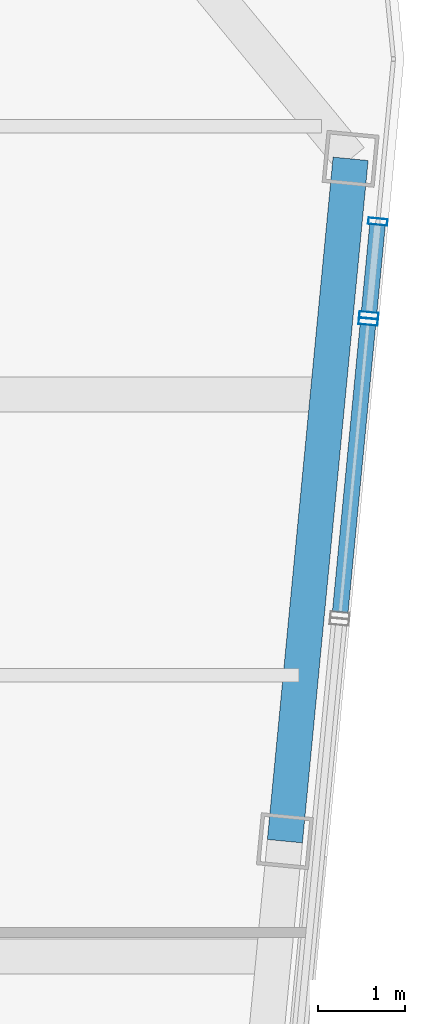
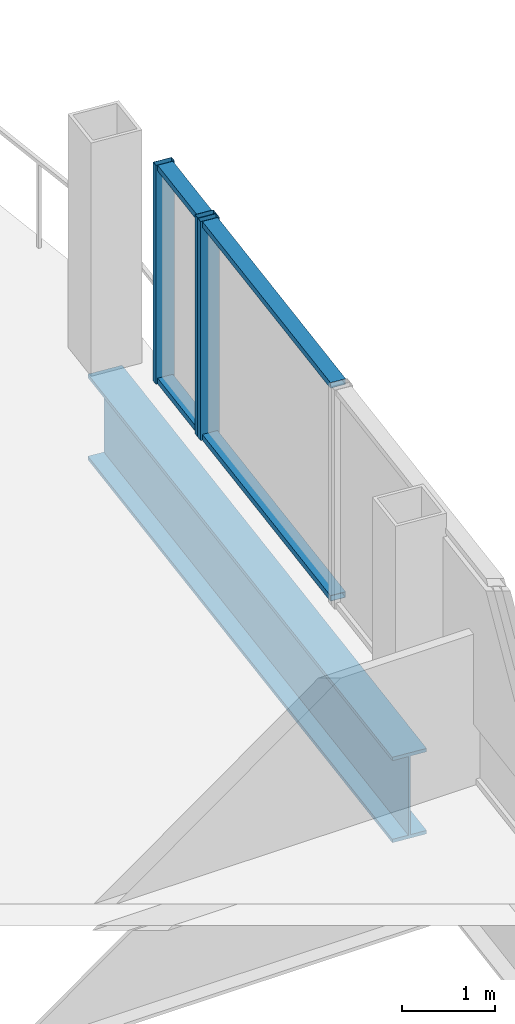
# One storey, part 12 of 22: 7 members, 1 beam, 2 elements without a shape of their own.
"""IFC4 building model written with IfcOpenShell, lengths in metres."""

from ifc_helpers import new_model, si_unit, direction, frame, origin, origin_2d, place, context, subcontext, project, spatial, hollow_rectangle, i_section, extrude, material, layer, layer_set, material_profile, profile_set, type_object, element, aggregate, save


model = new_model("IFC4")

# Units and contexts
model_context = context("Model", 3, precision=1e-05, world=origin(), true_north=direction((0.0, 1.0)))
body_context = subcontext(model_context, "Body", "Model", "MODEL_VIEW")
ifc_project = project(units=[si_unit("LENGTHUNIT", "METRE"), si_unit("AREAUNIT", "SQUARE_METRE"), si_unit("VOLUMEUNIT", "CUBIC_METRE"), si_unit("PLANEANGLEUNIT", "RADIAN"), si_unit("MASSUNIT", "GRAM", prefix="KILO")], contexts=[model_context])

# Site, building, storey
site_placement = place(None, origin())
site = spatial("IfcSite", under=ifc_project, at=site_placement, CompositionType="ELEMENT")
building_placement = place(site_placement, origin())
building = spatial("IfcBuilding", under=site, at=building_placement, Name="Qhalaya Broadcast Tower", CompositionType="ELEMENT")
storey_placement = place(building_placement, frame((0.0, 0.0, 245.89990234375)))
storey = spatial("IfcBuildingStorey", under=building, at=storey_placement, Name="L72", CompositionType="ELEMENT", Elevation=245.89990234375)

# Beam
ifc_material_1 = material(Name="Structural Steel ASTM A992 Grade 50", Category="steel")
ifc_material_profile_1 = material_profile(ifc_material_1, i_section(OverallWidth=0.404052734375, OverallDepth=1.117919921875, WebThickness=0.026123046875, FlangeThickness=0.044921875, at=origin_2d()), Name="W44X335")
ifc_profile_set_1 = profile_set([ifc_material_profile_1], Name="Structural Steel ASTM A992 Grade 50")
beam_type = type_object("IfcBeamType", Name="Podium Long-Span Primary Girder PG1", PredefinedType="USERDEFINED", material=ifc_profile_set_1)
beam_placement = place(storey_placement, frame((21.33642578125, -1.302001953125, -0.7490234375), z_axis=(0.095837184179, 0.995397023367, 0.0), x_axis=(-0.995397023367, 0.095837184179, 0.0)))
element("IfcBeam", 1, at=beam_placement, inside=storey, type_object=beam_type, Name="L72 PG1 L72-SPR-07", ObjectType="GIRDER", PredefinedType="USERDEFINED", context=body_context, shape_type="SweptSolid", body=[
    extrude(i_section(OverallWidth=0.404052734375, OverallDepth=1.117919921875, WebThickness=0.026123046875, FlangeThickness=0.044921875, at=origin_2d()), origin(), (0.0, 0.0, 1.0), 7.866455078125),
])

# Curtain wall, member
ifc_material_2 = material(Name="Solar-Control Low-E Triple Glazing", Category="glass")
ifc_layer_1 = layer(ifc_material_2, 0.219970703125, Name="Solar-Control Low-E Triple Glazing")
ifc_layer_set_1 = layer_set([ifc_layer_1], Name="Solar-Control Low-E Triple Glazing")
curtain_wall_type_1 = type_object("IfcCurtainWallType", Name="High-Altitude Upper-Shaft Triple Low-E Curtain Wall CW-04", PredefinedType="NOTDEFINED", material=ifc_layer_set_1)
curtain_wall_1_placement = place(storey_placement, origin())
curtain_wall_1 = element("IfcCurtainWall", 2, at=curtain_wall_1_placement, inside=storey, type_object=curtain_wall_type_1, Name="L72 Unitised Curtain Wall L72-CW-E6", PredefinedType="NOTDEFINED")
ifc_material_3 = material(Name="Anodised Aluminium 6063-T6", Category="aluminium")
ifc_material_profile_2 = material_profile(ifc_material_3, hollow_rectangle(XDim=0.074951171875, YDim=0.219970703125, WallThickness=0.00390625, at=origin_2d()), Name="ALU-MUL 75x220x4")
ifc_profile_set_2 = profile_set([ifc_material_profile_2], Name="Anodised Aluminium 6063-T6")
member_type_1 = type_object("IfcMemberType", Name="Unitised Curtain-Wall Mullion M01", PredefinedType="MULLION", material=ifc_profile_set_2)
member_1_placement = place(storey_placement, frame((22.292236328125, 4.658935546875, 0.0), z_axis=(0.0, 0.0, 1.0), x_axis=(0.095839108862, 0.995396838056, 0.0)))
member_1 = element("IfcMember", 3, at=member_1_placement, type_object=member_type_1, Name="CW-04 mullion 2", PredefinedType="MULLION", context=body_context, shape_type="SweptSolid", body=[
    extrude(hollow_rectangle(XDim=0.074951171875, YDim=0.219970703125, WallThickness=0.00390625, at=origin_2d()), origin(), (0.0, 0.0, 1.0), 2.860107421875),
])

# Curtain wall, members
ifc_material_4 = material(Name="Fired Architectural Terracotta", Category="masonry")
ifc_layer_2 = layer(ifc_material_4, 0.219970703125, Name="Fired Architectural Terracotta")
ifc_layer_set_2 = layer_set([ifc_layer_2], Name="Fired Architectural Terracotta")
curtain_wall_type_2 = type_object("IfcCurtainWallType", Name="Block-Cap Unitised Terracotta Spandrel Wall CW-07", PredefinedType="NOTDEFINED", material=ifc_layer_set_2)
curtain_wall_2_placement = place(storey_placement, origin())
curtain_wall_2 = element("IfcCurtainWall", 4, at=curtain_wall_2_placement, inside=storey, type_object=curtain_wall_type_2, Name="L72 Unitised Curtain Wall L72-CW-E7", PredefinedType="NOTDEFINED")
member_2_placement = place(storey_placement, frame((22.29931640625, 4.733642578125, 0.0), z_axis=(0.0, 0.0, 1.0), x_axis=(0.095839545253, 0.995396796039, 0.0)))
member_2 = element("IfcMember", 5, at=member_2_placement, type_object=member_type_1, Name="CW-07 mullion 1", PredefinedType="MULLION", context=body_context, shape_type="SweptSolid", body=[
    extrude(hollow_rectangle(XDim=0.074951171875, YDim=0.219970703125, WallThickness=0.00390625, at=origin_2d()), origin(), (0.0, 0.0, 1.0), 2.860107421875),
])
member_3_placement = place(storey_placement, frame((22.40283203125, 5.8076171875, 0.0), z_axis=(0.0, 0.0, 1.0), x_axis=(0.095839545253, 0.995396796039, 0.0)))
member_3 = element("IfcMember", 6, at=member_3_placement, type_object=member_type_1, Name="CW-07 mullion 2", PredefinedType="MULLION", context=body_context, shape_type="SweptSolid", body=[
    extrude(hollow_rectangle(XDim=0.074951171875, YDim=0.219970703125, WallThickness=0.00390625, at=origin_2d()), origin(), (0.0, 0.0, 1.0), 2.860107421875),
])

# Member
ifc_material_profile_3 = material_profile(ifc_material_3, hollow_rectangle(XDim=0.074951171875, YDim=0.179931640625, WallThickness=0.00390625, at=origin_2d()), Name="ALU-TRN 75x180x4")
ifc_profile_set_3 = profile_set([ifc_material_profile_3], Name="Anodised Aluminium 6063-T6")
member_type_2 = type_object("IfcMemberType", Name="Unitised Curtain-Wall Transom T01", PredefinedType="USERDEFINED", material=ifc_profile_set_3)
member_4_placement = place(storey_placement, frame((21.971435546875, 1.327880859375, 0.03759765625), z_axis=(0.095843153712, 0.995396448601, 0.0), x_axis=(0.0, 0.0, 1.0)))
member_4 = element("IfcMember", 7, at=member_4_placement, type_object=member_type_2, Name="CW-04 transom 1.1", ObjectType="TRANSOM", PredefinedType="USERDEFINED", context=body_context, shape_type="SweptSolid", body=[
    extrude(hollow_rectangle(XDim=0.074951171875, YDim=0.179931640625, WallThickness=0.00390625, at=origin_2d()), origin(), (0.0, 0.0, 1.0), 3.308837890625),
])

member_5_placement = place(storey_placement, frame((21.971435546875, 1.327880859375, 2.822509765625), z_axis=(0.095843153712, 0.995396448601, 0.0), x_axis=(0.0, 0.0, 1.0)))
member_5 = element("IfcMember", 8, at=member_5_placement, type_object=member_type_2, Name="CW-04 transom 1.2", ObjectType="TRANSOM", PredefinedType="USERDEFINED", context=body_context, shape_type="SweptSolid", body=[
    extrude(hollow_rectangle(XDim=0.074951171875, YDim=0.179931640625, WallThickness=0.00390625, at=origin_2d()), origin(), (0.0, 0.0, 1.0), 3.308837890625),
])

aggregate(curtain_wall_1, [member_1, member_4, member_5])

member_6_placement = place(storey_placement, frame((22.302978515625, 4.770751953125, 0.03759765625), z_axis=(0.095795797955, 0.99540100718, 0.0), x_axis=(0.0, 0.0, 1.0)))
member_6 = element("IfcMember", 9, at=member_6_placement, type_object=member_type_2, Name="CW-07 transom 1.1", ObjectType="TRANSOM", PredefinedType="USERDEFINED", context=body_context, shape_type="SweptSolid", body=[
    extrude(hollow_rectangle(XDim=0.074951171875, YDim=0.179931640625, WallThickness=0.00390625, at=origin_2d()), origin(), (0.0, 0.0, 1.0), 1.004150390625),
])

member_7_placement = place(storey_placement, frame((22.302978515625, 4.770751953125, 2.822509765625), z_axis=(0.095795797955, 0.99540100718, 0.0), x_axis=(0.0, 0.0, 1.0)))
member_7 = element("IfcMember", 10, at=member_7_placement, type_object=member_type_2, Name="CW-07 transom 1.2", ObjectType="TRANSOM", PredefinedType="USERDEFINED", context=body_context, shape_type="SweptSolid", body=[
    extrude(hollow_rectangle(XDim=0.074951171875, YDim=0.179931640625, WallThickness=0.00390625, at=origin_2d()), origin(), (0.0, 0.0, 1.0), 1.004150390625),
])

aggregate(curtain_wall_2, [member_2, member_3, member_6, member_7])

save(model, "model.ifc")
